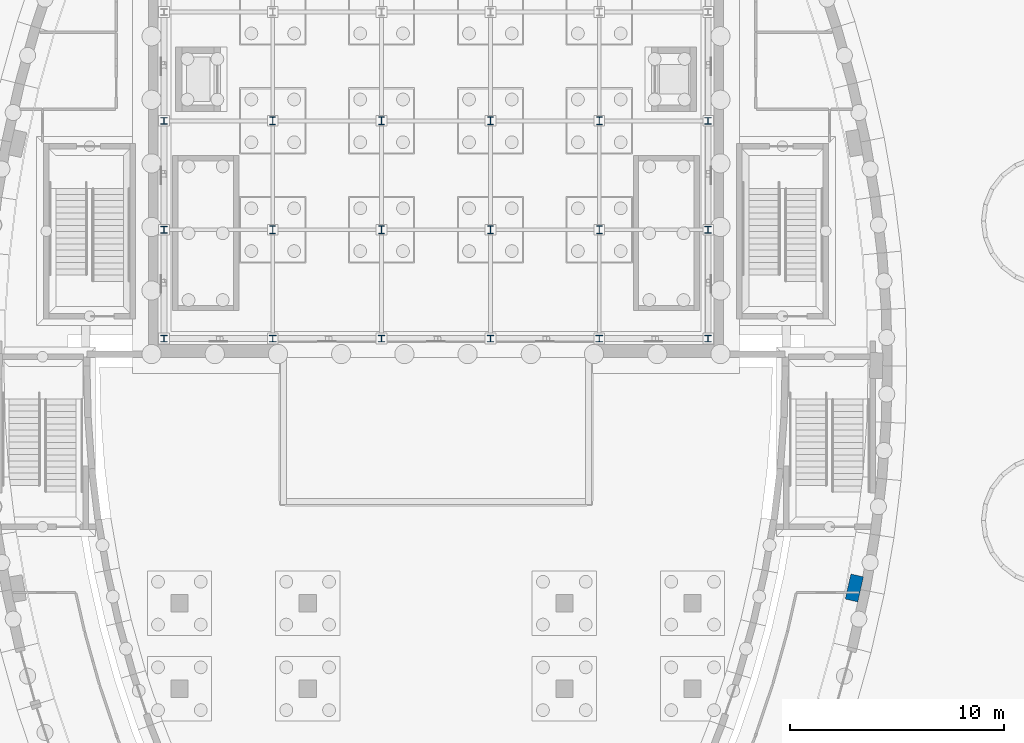
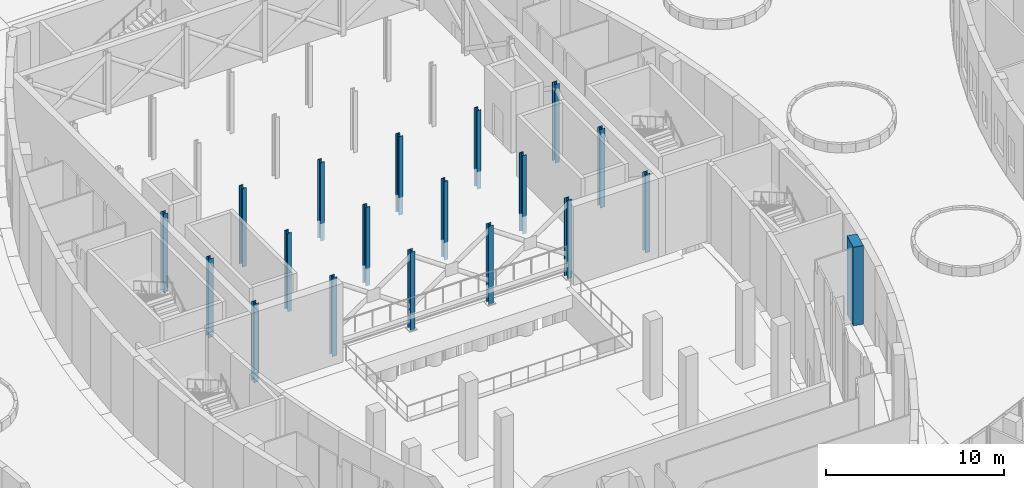
# One storey, part 12 of 82: 19 columns.
"""IFC4 building model written with IfcOpenShell, lengths in metres."""

from ifc_helpers import new_model, si_unit, direction, frame, origin, origin_2d, place, context, subcontext, project, spatial, rectangle, i_section, extrude, material, material_profile, profile_set, type_object, element, save


model = new_model("IFC4")

# Units and contexts
model_context = context("Model", 3, precision=1e-05, world=origin(), true_north=direction((0.0, 1.0)))
body_context = subcontext(model_context, "Body", "Model", "MODEL_VIEW")
ifc_project = project(units=[si_unit("LENGTHUNIT", "METRE"), si_unit("AREAUNIT", "SQUARE_METRE"), si_unit("VOLUMEUNIT", "CUBIC_METRE"), si_unit("PLANEANGLEUNIT", "RADIAN"), si_unit("MASSUNIT", "GRAM", prefix="KILO")], contexts=[model_context])

# Site, building, storey
site_placement = place(None, origin())
site = spatial("IfcSite", under=ifc_project, at=site_placement, CompositionType="ELEMENT")
building_placement = place(site_placement, origin())
building = spatial("IfcBuilding", under=site, at=building_placement, Name="Tide Square Theatres", CompositionType="ELEMENT")
storey_placement = place(building_placement, origin())
storey = spatial("IfcBuildingStorey", under=building, at=storey_placement, Name="L00", CompositionType="ELEMENT", Elevation=0.0)

# Columns
ifc_material_1 = material(Name="Concrete C40", Category="concrete")
ifc_material_profile_1 = material_profile(ifc_material_1, rectangle(XDim=1.199951171875, YDim=0.60009765625, at=origin_2d()))
ifc_profile_set_1 = profile_set([ifc_material_profile_1], Name="Concrete C40")
column_type_1 = type_object("IfcColumnType", Name="RC pier 1200 x 600", PredefinedType="PILASTER", material=ifc_profile_set_1)
column_placement = place(storey_placement, frame((103.56201171875, 44.6123046875, 0.0), z_axis=(0.0, 0.0, 1.0), x_axis=(0.220356962886, 0.975419299024, 0.0)))
element("IfcColumn", 1, at=column_placement, inside=storey, type_object=column_type_1, Name="Rib foot pier", PredefinedType="PILASTER", context=body_context, shape_type="SweptSolid", body=[
    extrude(rectangle(XDim=1.199951171875, YDim=0.60009765625, at=origin_2d()), origin(), (0.0, 0.0, 1.0), 5.39990234375),
])
ifc_material_2 = material(Name="Steel ASTM A572 Grade 50", Category="steel")
ifc_material_profile_2 = material_profile(ifc_material_2, i_section(OverallWidth=0.31201171875, OverallDepth=0.31201171875, WebThickness=0.017333984375, FlangeThickness=0.017333984375, FilletRadius=0.01611328125, at=origin_2d()))
ifc_profile_set_2 = profile_set([ifc_material_profile_2], Name="Steel ASTM A572 Grade 50")
column_type_2 = type_object("IfcColumnType", Name="Steel column HP 310 x 125.0", PredefinedType="COLUMN", material=ifc_profile_set_2)
for number, where, z_axis, x_axis, name in (
    (2, (71.27587890625, 56.27587890625, 0.0), (0.0, 0.0, 1.0), (1.0, 0.0, 0.0), "Fly tower column"),
    (3, (71.27587890625, 61.365478515625, 0.0), (0.0, 0.0, 1.0), (1.0, 0.0, 0.0), "Fly tower column"),
    (4, (71.27587890625, 66.455078125, 0.0), (0.0, 0.0, 1.0), (1.0, 0.0, 0.0), "Fly tower column"),
    (5, (76.365478515625, 56.27587890625, 0.0), (0.0, 0.0, 1.0), (1.0, 0.0, 0.0), "Fly tower column"),
    (6, (81.455078125, 56.27587890625, 0.0), (0.0, 0.0, 1.0), (1.0, 0.0, 0.0), "Fly tower column"),
    (7, (86.544921875, 56.27587890625, 0.0), (0.0, 0.0, 1.0), (1.0, 0.0, 0.0), "Fly tower column"),
    (8, (91.634521484375, 56.27587890625, 0.0), (0.0, 0.0, 1.0), (1.0, 0.0, 0.0), "Fly tower column"),
    (9, (96.72412109375, 56.27587890625, 0.0), (0.0, 0.0, 1.0), (1.0, 0.0, 0.0), "Fly tower column"),
    (10, (96.72412109375, 61.365478515625, 0.0), (0.0, 0.0, 1.0), (1.0, 0.0, 0.0), "Fly tower column"),
    (11, (96.72412109375, 66.455078125, 0.0), (0.0, 0.0, 1.0), (1.0, 0.0, 0.0), "Fly tower column"),
):
    element("IfcColumn", number, at=place(storey_placement, frame(where, z_axis=z_axis, x_axis=x_axis)), inside=storey, type_object=column_type_2, Name=name, PredefinedType="COLUMN", context=body_context, shape_type="SweptSolid", body=[
        extrude(i_section(OverallWidth=0.31201171875, OverallDepth=0.31201171875, WebThickness=0.017333984375, FlangeThickness=0.017333984375, FilletRadius=0.01611328125, at=origin_2d()), origin(), (0.0, 0.0, 1.0), 5.39990234375),
    ])
ifc_material_3 = material(Name="Steel ASTM A572 Grade 50", Category="steel")
ifc_material_profile_3 = material_profile(ifc_material_3, i_section(OverallWidth=0.257080078125, OverallDepth=0.363037109375, WebThickness=0.012939453125, FlangeThickness=0.021728515625, FilletRadius=0.01611328125, at=origin_2d()))
ifc_profile_set_3 = profile_set([ifc_material_profile_3], Name="Steel ASTM A572 Grade 50")
column_type_3 = type_object("IfcColumnType", Name="Steel column W 360 x 122.0", PredefinedType="COLUMN", material=ifc_profile_set_3)
for number, where, z_axis, x_axis, name in (
    (12, (76.365478515625, 61.365478515625, 0.0), (0.0, 0.0, 1.0), (1.0, 0.0, 0.0), "Fly tower column"),
    (13, (76.365478515625, 66.455078125, 0.0), (0.0, 0.0, 1.0), (1.0, 0.0, 0.0), "Fly tower column"),
    (14, (81.455078125, 61.365478515625, 0.0), (0.0, 0.0, 1.0), (1.0, 0.0, 0.0), "Fly tower column"),
    (15, (81.455078125, 66.455078125, 0.0), (0.0, 0.0, 1.0), (1.0, 0.0, 0.0), "Fly tower column"),
    (16, (86.544921875, 61.365478515625, 0.0), (0.0, 0.0, 1.0), (1.0, 0.0, 0.0), "Fly tower column"),
    (17, (86.544921875, 66.455078125, 0.0), (0.0, 0.0, 1.0), (1.0, 0.0, 0.0), "Fly tower column"),
    (18, (91.634521484375, 61.365478515625, 0.0), (0.0, 0.0, 1.0), (1.0, 0.0, 0.0), "Fly tower column"),
    (19, (91.634521484375, 66.455078125, 0.0), (0.0, 0.0, 1.0), (1.0, 0.0, 0.0), "Fly tower column"),
):
    element("IfcColumn", number, at=place(storey_placement, frame(where, z_axis=z_axis, x_axis=x_axis)), inside=storey, type_object=column_type_3, Name=name, PredefinedType="COLUMN", context=body_context, shape_type="SweptSolid", body=[
        extrude(i_section(OverallWidth=0.257080078125, OverallDepth=0.363037109375, WebThickness=0.012939453125, FlangeThickness=0.021728515625, FilletRadius=0.01611328125, at=origin_2d()), origin(), (0.0, 0.0, 1.0), 5.39990234375),
    ])

save(model, "model.ifc")
